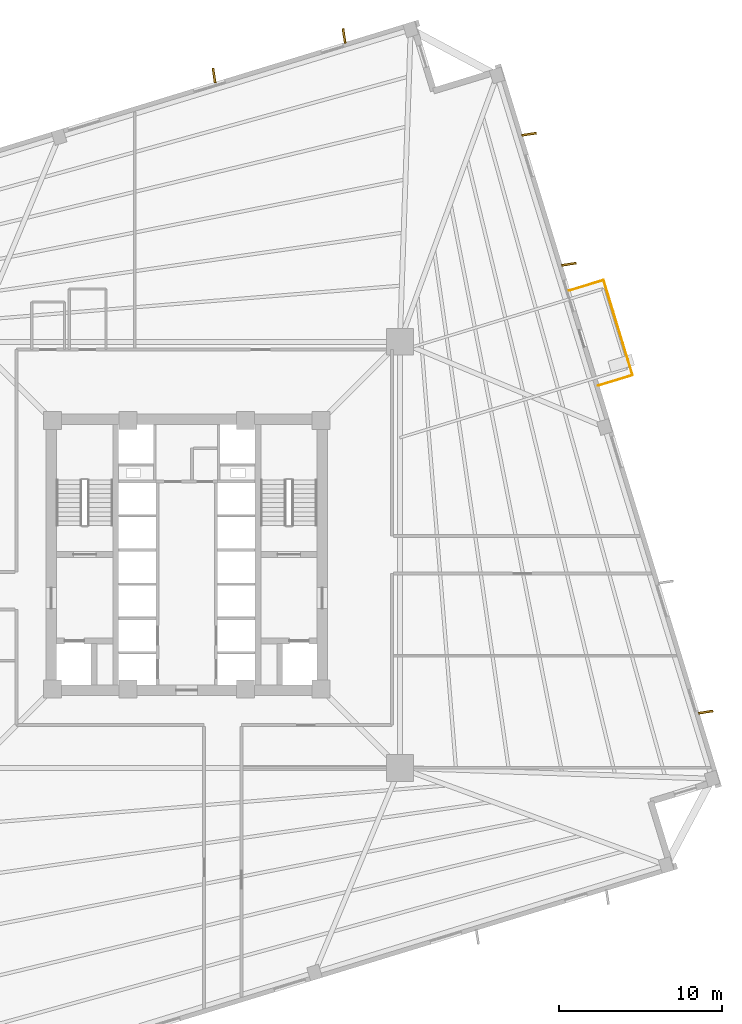
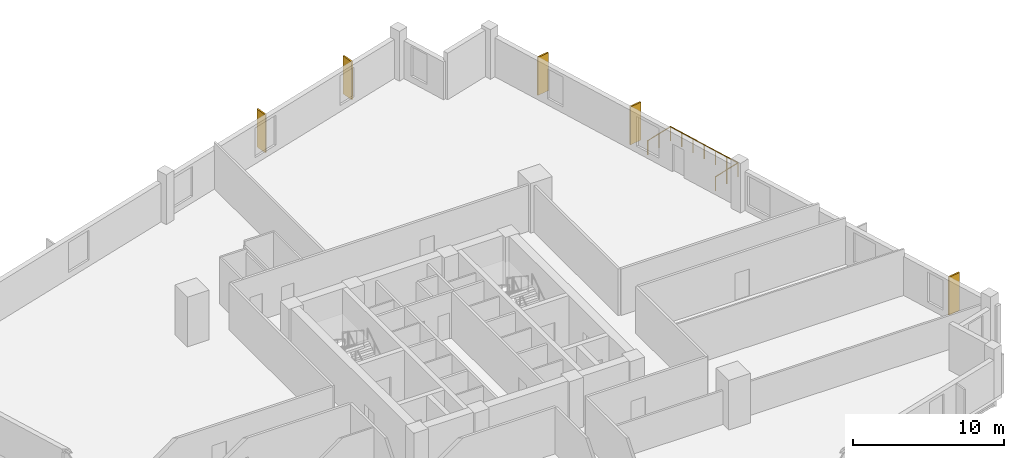
# One storey, part 9 of 9: 5 coverings, 3 railings.
"""IFC4 building model written with IfcOpenShell, lengths in metres."""

import ifcopenshell
import ifcopenshell.guid

model = None  # the IFC model being written
_history = None  # IfcOwnerHistory: only IFC2X3 demands one
_inside = {}  # id of a spatial element -> (the spatial element, [elements in it])
_under = {}  # id of a project, library or spatial element -> (it, [spatial elements below it])
_declared = {}  # id of a project -> (the project, [libraries it declares])
_typed = {}  # id of a type object -> (the type object, [elements of that type])
_made_of = {}  # id of a material, layer set ... -> (it, [elements and type objects made of it])


def new_model(schema):
    """Start an empty IFC model of exactly this schema.

    Asked for "IFC4X3", IfcOpenShell would pick the latest addendum, in which some entities
    have other attributes; the version numbers below select the first issue.
    IFC2X3 requires an IfcOwnerHistory on every rooted entity: one is made here for all.
    """
    global model, _history
    if schema == "IFC4X3":
        model = ifcopenshell.file(schema_version=(4, 3, 0, 0))
    else:
        model = ifcopenshell.file(schema=schema)
    _inside.clear()
    _under.clear()
    _declared.clear()
    _typed.clear()
    _made_of.clear()
    _history = None
    if model.schema == "IFC2X3":
        org = make("IfcOrganization", Name="unknown")
        user = make(
            "IfcPersonAndOrganization",
            ThePerson=make("IfcPerson", FamilyName="unknown"),
            TheOrganization=org,
        )
        app = make(
            "IfcApplication",
            ApplicationDeveloper=org,
            Version="unknown",
            ApplicationFullName="unknown",
            ApplicationIdentifier="unknown",
        )
        _history = make(
            "IfcOwnerHistory",
            OwningUser=user,
            OwningApplication=app,
            ChangeAction="ADDED",
            CreationDate=0,
        )
    return model


def make(cls, **values):
    """One entity of the class cls with the attributes given. An attribute that is None is left unset."""
    return model.create_entity(
        cls, **{name: value for name, value in values.items() if value is not None}
    )


def rooted(cls, **values):
    """An entity with a GlobalId (a new one), such as an element, a storey or a relation."""
    return make(cls, GlobalId=ifcopenshell.guid.new(), OwnerHistory=_history, **values)


def si_unit(unit_type, name, prefix=None):
    """IfcSIUnit, for example si_unit("LENGTHUNIT", "METRE", prefix="MILLI")."""
    return make("IfcSIUnit", UnitType=unit_type, Prefix=prefix, Name=name)


def assignment(units):
    """IfcUnitAssignment: the units of a project."""
    return None if units is None else make("IfcUnitAssignment", Units=units)


def point(xyz):
    """IfcCartesianPoint."""
    return None if xyz is None else make("IfcCartesianPoint", Coordinates=xyz)


def direction(xyz):
    """IfcDirection."""
    return None if xyz is None else make("IfcDirection", DirectionRatios=xyz)


def frame(location, z_axis=None, x_axis=None):
    """IfcAxis2Placement3D, a coordinate frame: its origin and axes. An axis left out is left unset."""
    return make(
        "IfcAxis2Placement3D",
        Location=point(location),
        Axis=direction(z_axis),
        RefDirection=direction(x_axis),
    )


def frame_2d(location, x_axis=None):
    """IfcAxis2Placement2D, a coordinate frame in the plane: its origin and x axis."""
    return make(
        "IfcAxis2Placement2D", Location=point(location), RefDirection=direction(x_axis)
    )


def origin():
    """The frame at (0, 0, 0) with its axes left unset."""
    return frame((0.0, 0.0, 0.0))


def origin_2d():
    """The frame at (0, 0) in the plane with its x axis left unset."""
    return frame_2d((0.0, 0.0))


def place(relative_to, where):
    """IfcLocalPlacement: puts the frame where relative to a parent placement (None: the world)."""
    return make(
        "IfcLocalPlacement", PlacementRelTo=relative_to, RelativePlacement=where
    )


def context(
    kind, dimensions, precision=None, world=None, true_north=None, identifier=None
):
    """IfcGeometricRepresentationContext, for example the 3D "Model" context."""
    return make(
        "IfcGeometricRepresentationContext",
        ContextIdentifier=identifier,
        ContextType=kind,
        CoordinateSpaceDimension=dimensions,
        Precision=precision,
        WorldCoordinateSystem=world,
        TrueNorth=true_north,
    )


def subcontext(parent, identifier, kind, view, scale=None):
    """IfcGeometricRepresentationSubContext, for example "Body" below "Model"."""
    return make(
        "IfcGeometricRepresentationSubContext",
        ContextIdentifier=identifier,
        ContextType=kind,
        ParentContext=parent,
        TargetScale=scale,
        TargetView=view,
    )


def project(units=None, contexts=None):
    """IfcProject with its units and contexts."""
    return rooted(
        "IfcProject",
        Name="project",
        RepresentationContexts=contexts,
        UnitsInContext=assignment(units),
    )


def spatial(cls, under=None, at=None, **own):
    """A site, building, storey or space (cls), placed at a placement, below another one or the project."""
    s = rooted(cls, ObjectPlacement=at, **own)
    if under is not None:
        _under.setdefault(under.id(), (under, []))[1].append(s)
    return s


def profile(cls, at=None, kind="AREA", **sizes):
    """A parametric profile (cls). Its sizes go by their IFC names, for example OverallWidth=200.0."""
    return make(cls, ProfileType=kind, Position=at, **sizes)


def rectangle(**sizes):
    """IfcRectangleProfileDef."""
    return profile("IfcRectangleProfileDef", **sizes)


def circle(**sizes):
    """IfcCircleProfileDef."""
    return profile("IfcCircleProfileDef", **sizes)


def extrude(swept, where, along, depth):
    """IfcExtrudedAreaSolid: the profile swept, set in the frame where, extruded along a direction by depth."""
    return make(
        "IfcExtrudedAreaSolid",
        SweptArea=swept,
        Position=where,
        ExtrudedDirection=direction(along),
        Depth=depth,
    )


def shape(context_of_items, identifier, shape_type, items):
    """IfcShapeRepresentation: the items that make up one representation, for example the "Body"."""
    return make(
        "IfcShapeRepresentation",
        ContextOfItems=context_of_items,
        RepresentationIdentifier=identifier,
        RepresentationType=shape_type,
        Items=items,
    )


def source(mapping_origin, context_of_items, identifier, shape_type, items):
    """IfcRepresentationMap: a shape defined once, which mapped items show again and again."""
    return make(
        "IfcRepresentationMap",
        MappingOrigin=mapping_origin,
        MappedRepresentation=shape(context_of_items, identifier, shape_type, items),
    )


def transform(
    local_origin,
    x_axis=None,
    y_axis=None,
    z_axis=None,
    scale=None,
    scale2=None,
    scale3=None,
    uniform=True,
):
    """IfcCartesianTransformationOperator3D, or its non-uniform kind. x_axis, y_axis, z_axis: its Axis1, 2, 3."""
    if uniform:
        return make(
            "IfcCartesianTransformationOperator3D",
            Axis1=direction(x_axis),
            Axis2=direction(y_axis),
            LocalOrigin=point(local_origin),
            Scale=scale,
            Axis3=direction(z_axis),
        )
    return make(
        "IfcCartesianTransformationOperator3DnonUniform",
        Axis1=direction(x_axis),
        Axis2=direction(y_axis),
        LocalOrigin=point(local_origin),
        Scale=scale,
        Axis3=direction(z_axis),
        Scale2=scale2,
        Scale3=scale3,
    )


def mapped(mapping_source, mapping_target):
    """IfcMappedItem: shows the shape of a source again, moved by a transform."""
    return make(
        "IfcMappedItem", MappingSource=mapping_source, MappingTarget=mapping_target
    )


def material(Name=None, Category=None):
    """IfcMaterial."""
    return make("IfcMaterial", Name=Name, Category=Category)


def layer(
    of_material, thickness, ventilated=None, Name=None, Category=None, Priority=None
):
    """IfcMaterialLayer: one layer of a wall or slab, of a material (None: an air gap)."""
    return make(
        "IfcMaterialLayer",
        Material=of_material,
        LayerThickness=thickness,
        IsVentilated=ventilated,
        Name=Name,
        Category=Category,
        Priority=Priority,
    )


def layer_set(layers, Name=None):
    """IfcMaterialLayerSet."""
    return make("IfcMaterialLayerSet", MaterialLayers=layers, LayerSetName=Name)


def made_of(thing, what):
    """Note that an element or type object is made of a material, layer set ...; save() writes the relation."""
    if what is not None:
        _made_of.setdefault(what.id(), (what, []))[1].append(thing)
    return thing


def type_object(cls, material=None, **own):
    """A type object (cls), such as IfcWallType, which elements share."""
    return made_of(rooted(cls, **own), material)


def element(
    cls,
    number,
    at=None,
    inside=None,
    cuts=None,
    type_object=None,
    material=None,
    context=None,
    identifier="Body",
    shape_type=None,
    held_by="IfcProductDefinitionShape",
    body=None,
    shapes=None,
    **own,
):
    """One element of the class cls, such as IfcWall. Its Tag is "e" and its number.

    at: its placement. inside: the storey or other place that contains it. cuts: it is an
    opening in that element (IfcRelVoidsElement). A single representation is given by context,
    identifier, shape_type and body (its items); several are given by shapes. held_by: the class
    of the entity that holds the representations. save() writes the other relations.
    """
    e = rooted(cls, Tag="e%d" % number, ObjectPlacement=at, **own)
    if body is not None:
        shapes = [shape(context, identifier, shape_type, body)]
    if shapes is not None:
        e.Representation = make(held_by, Representations=shapes)
    if inside is not None:
        _inside.setdefault(inside.id(), (inside, []))[1].append(e)
    if cuts is not None:
        rooted(
            "IfcRelVoidsElement", RelatingBuildingElement=cuts, RelatedOpeningElement=e
        )
    if type_object is not None:
        _typed.setdefault(type_object.id(), (type_object, []))[1].append(e)
    return made_of(e, material)


def aggregate(whole, parts):
    """IfcRelAggregates: a whole, such as a stair, and the parts it consists of."""
    return rooted("IfcRelAggregates", RelatingObject=whole, RelatedObjects=parts)


def save(model, path):
    """Write the relations noted so far, then the file.

    IfcRelAggregates (storeys below a building ...), IfcRelContainedInSpatialStructure (elements
    in a storey), IfcRelDefinesByType, IfcRelAssociatesMaterial and IfcRelDeclares: one each for
    every whole, place, type object, material and project.
    """
    for whole, parts in _under.values():
        aggregate(whole, parts)
    for where, things in _inside.values():
        rooted(
            "IfcRelContainedInSpatialStructure",
            RelatedElements=things,
            RelatingStructure=where,
        )
    for kind, things in _typed.values():
        rooted("IfcRelDefinesByType", RelatedObjects=things, RelatingType=kind)
    for what, things in _made_of.values():
        rooted("IfcRelAssociatesMaterial", RelatedObjects=things, RelatingMaterial=what)
    for by, libraries in _declared.values():
        rooted("IfcRelDeclares", RelatingContext=by, RelatedDefinitions=libraries)
    model.write(path)


model = new_model("IFC4")

# Units and contexts
model_context = context("Model", 3, precision=1e-05, world=origin(), true_north=direction((0.0, 1.0)))
body_context = subcontext(model_context, "Body", "Model", "MODEL_VIEW")
ifc_project = project(units=[si_unit("LENGTHUNIT", "METRE"), si_unit("AREAUNIT", "SQUARE_METRE"), si_unit("VOLUMEUNIT", "CUBIC_METRE"), si_unit("PLANEANGLEUNIT", "RADIAN"), si_unit("MASSUNIT", "GRAM", prefix="KILO"), si_unit("THERMODYNAMICTEMPERATUREUNIT", "KELVIN")], contexts=[model_context])

# Site, building, storey
site_placement = place(None, origin())
site = spatial("IfcSite", under=ifc_project, at=site_placement, CompositionType="ELEMENT")
building_placement = place(site_placement, origin())
building = spatial("IfcBuilding", under=site, at=building_placement, Name="Kosmvard Interchange Tower", CompositionType="ELEMENT")
storey_placement = place(building_placement, frame((0.0, 0.0, 95.199951171875)))
storey = spatial("IfcBuildingStorey", under=building, at=storey_placement, Name="L22", CompositionType="ELEMENT", Elevation=95.199951171875)

# Coverings
ifc_material_1 = material(Name="Architectural anodised aluminium", Category="aluminium")
ifc_layer = layer(ifc_material_1, 0.1201171875, Name="Architectural anodised aluminium")
ifc_layer_set = layer_set([ifc_layer], Name="Architectural anodised aluminium")
covering_type = type_object("IfcCoveringType", Name="Rotating Vertical Sun-Breaker Fin 900x120 Aluminium", PredefinedType="CLADDING", material=ifc_layer_set)
shared_shape_1 = source(origin(), body_context, "Body", "SweptSolid", [
    extrude(rectangle(XDim=0.89990234375, YDim=0.1201171875, at=origin_2d()), origin(), (0.0, 0.0, 1.0), 3.06005859375),
])
for number, where, z_axis, x_axis, name in (
    (1, (31.865966796875, -9.6572265625, 0.0400390625), (0.0, 0.0, 1.0), (0.988599245884, 0.150570684524, 0.0), "L22 Rotating Vertical Sun-Breaker Fin 05"),
    (2, (23.45849609375, 17.841796875, 0.0400390625), (0.0, 0.0, 1.0), (0.988599245884, 0.150570684524, 0.0), "L22 Rotating Vertical Sun-Breaker Fin 07"),
    (3, (21.017822265625, 25.825439453125, 0.0400390625), (0.0, 0.0, 1.0), (0.988599245884, 0.150570684524, 0.0), "L22 Rotating Vertical Sun-Breaker Fin 08"),
    (4, (9.6572265625, 31.865966796875, 0.0400390625), (0.0, 0.0, 1.0), (-0.150570684524, 0.988599245884, 0.0), "L22 Rotating Vertical Sun-Breaker Fin 09"),
    (5, (1.673583984375, 29.425048828125, 0.0400390625), (0.0, 0.0, 1.0), (-0.150570684524, 0.988599245884, 0.0), "L22 Rotating Vertical Sun-Breaker Fin 10"),
):
    element("IfcCovering", number, at=place(storey_placement, frame(where, z_axis=z_axis, x_axis=x_axis)), inside=storey, type_object=covering_type, Name=name, PredefinedType="CLADDING", context=body_context, shape_type="MappedRepresentation", body=[
        mapped(shared_shape_1, transform((0.0, 0.0, 0.0), scale=1.0)),
    ])

# Railings
ifc_material_2 = material(Name="Steel S355", Category="steel")
railing_type = type_object("IfcRailingType", Name="Observation & Balcony Glass-Infill Balustrade 1150", PredefinedType="BALUSTRADE", material=ifc_material_2)
shared_shape_2 = source(origin(), body_context, "Body", "SweptSolid", [
    extrude(circle(Radius=0.02392578125, at=origin_2d()), frame((0.0, 0.0, 1.1259765625), z_axis=(0.956329170869, 0.292291835236, 0.0), x_axis=(-0.292291835236, 0.956329170869, 0.0)), (0.0, 0.0, 1.0), 2.2001953125),
    extrude(circle(Radius=0.02099609375, at=origin_2d()), origin(), (0.0, 0.0, 1.0), 1.101806640625),
    extrude(circle(Radius=0.02099609375, at=origin_2d()), frame((1.052001953125, 0.321533203125, 0.0)), (0.0, 0.0, 1.0), 1.101806640625),
    extrude(circle(Radius=0.02099609375, at=origin_2d()), frame((2.10400390625, 0.64306640625, 0.0)), (0.0, 0.0, 1.0), 1.101806640625),
])
railing_1_placement = place(storey_placement, frame((25.265869140625, 10.39111328125, 0.0)))
element("IfcRailing", 6, at=railing_1_placement, inside=storey, type_object=railing_type, Name="L22 Outdoor Terrace Guard BAL-L22-E-A", PredefinedType="BALUSTRADE", context=body_context, shape_type="MappedRepresentation", body=[
    mapped(shared_shape_2, transform((0.0, 0.0, 0.0), scale=1.0)),
])
shared_shape_3 = source(origin(), body_context, "Body", "SweptSolid", [
    extrude(circle(Radius=0.02392578125, at=origin_2d()), frame((0.0, 0.0, 1.1259765625), z_axis=(-0.292366986664, 0.956306198406, 0.0), x_axis=(-0.956306198406, -0.292366986664, 0.0)), (0.0, 0.0, 1.0), 6.10009765625),
    extrude(circle(Radius=0.02099609375, at=origin_2d()), origin(), (0.0, 0.0, 1.0), 1.101806640625),
    extrude(circle(Radius=0.02099609375, at=origin_2d()), frame((-0.29736328125, 0.97216796875, 0.0)), (0.0, 0.0, 1.0), 1.101806640625),
    extrude(circle(Radius=0.02099609375, at=origin_2d()), frame((-0.594482421875, 1.944580078125, 0.0)), (0.0, 0.0, 1.0), 1.101806640625),
    extrude(circle(Radius=0.02099609375, at=origin_2d()), frame((-0.8916015625, 2.916748046875, 0.0)), (0.0, 0.0, 1.0), 1.101806640625),
    extrude(circle(Radius=0.02099609375, at=origin_2d()), frame((-1.18896484375, 3.888916015625, 0.0)), (0.0, 0.0, 1.0), 1.101806640625),
    extrude(circle(Radius=0.02099609375, at=origin_2d()), frame((-1.486328125, 4.861328125, 0.0)), (0.0, 0.0, 1.0), 1.101806640625),
    extrude(circle(Radius=0.02099609375, at=origin_2d()), frame((-1.783447265625, 5.83349609375, 0.0)), (0.0, 0.0, 1.0), 1.101806640625),
])
railing_2_placement = place(storey_placement, frame((27.369873046875, 11.0341796875, 0.0)))
element("IfcRailing", 7, at=railing_2_placement, inside=storey, type_object=railing_type, Name="L22 Outdoor Terrace Guard BAL-L22-E-B", PredefinedType="BALUSTRADE", context=body_context, shape_type="MappedRepresentation", body=[
    mapped(shared_shape_3, transform((0.0, 0.0, 0.0), scale=1.0)),
])
shared_shape_4 = source(origin(), body_context, "Body", "SweptSolid", [
    extrude(circle(Radius=0.02392578125, at=origin_2d()), frame((0.0, 0.0, 1.1259765625), z_axis=(-0.956329170869, -0.292291835236, 0.0), x_axis=(0.292291835236, -0.956329170869, 0.0)), (0.0, 0.0, 1.0), 2.2001953125),
    extrude(circle(Radius=0.02099609375, at=origin_2d()), origin(), (0.0, 0.0, 1.0), 1.101806640625),
    extrude(circle(Radius=0.02099609375, at=origin_2d()), frame((-1.052001953125, -0.321533203125, 0.0)), (0.0, 0.0, 1.0), 1.101806640625),
    extrude(circle(Radius=0.02099609375, at=origin_2d()), frame((-2.10400390625, -0.64306640625, 0.0)), (0.0, 0.0, 1.0), 1.101806640625),
])
railing_3_placement = place(storey_placement, frame((25.58642578125, 16.86767578125, 0.0)))
element("IfcRailing", 8, at=railing_3_placement, inside=storey, type_object=railing_type, Name="L22 Outdoor Terrace Guard BAL-L22-E-C", PredefinedType="BALUSTRADE", context=body_context, shape_type="MappedRepresentation", body=[
    mapped(shared_shape_4, transform((0.0, 0.0, 0.0), scale=1.0)),
])

save(model, "model.ifc")
